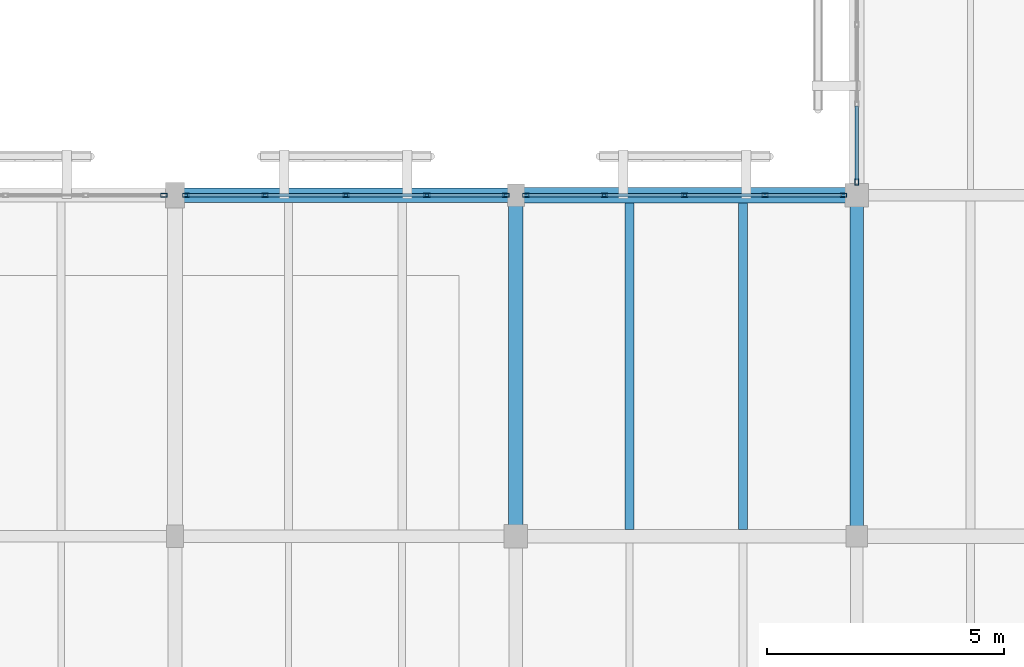
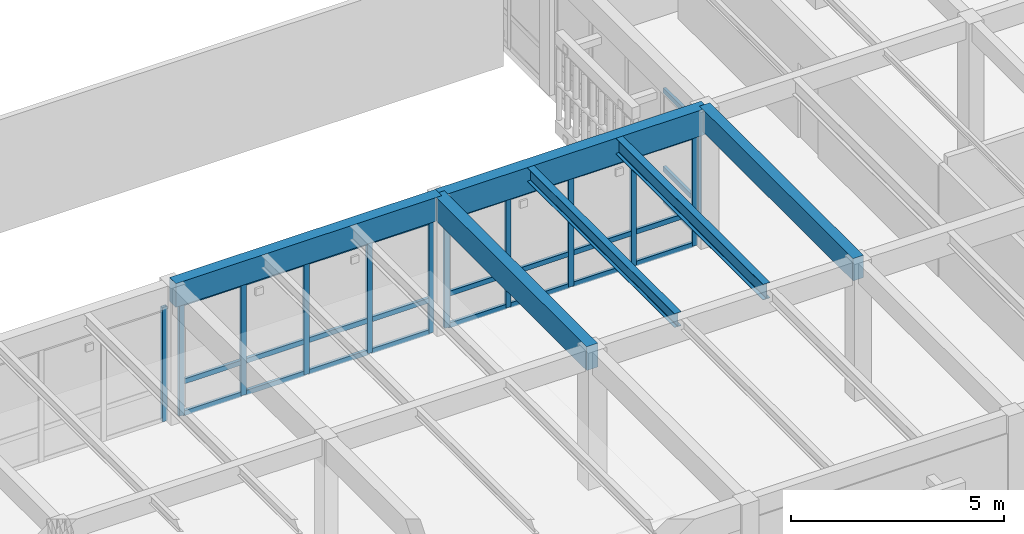
# One storey, part 143 of 217: 39 members, 6 beams, 4 elements without a shape of their own.
"""IFC4 building model written with IfcOpenShell, lengths in metres."""

from ifc_helpers import new_model, si_unit, direction, frame, origin, origin_2d, place, context, subcontext, project, spatial, rectangle, hollow_rectangle, i_section, extrude, material, layer, layer_set, material_profile, profile_set, type_object, element, aggregate, save


model = new_model("IFC4")

# Units and contexts
model_context = context("Model", 3, precision=1e-05, world=origin(), true_north=direction((0.0, 1.0)))
body_context = subcontext(model_context, "Body", "Model", "MODEL_VIEW")
ifc_project = project(units=[si_unit("LENGTHUNIT", "METRE"), si_unit("AREAUNIT", "SQUARE_METRE"), si_unit("VOLUMEUNIT", "CUBIC_METRE"), si_unit("PLANEANGLEUNIT", "RADIAN"), si_unit("MASSUNIT", "GRAM", prefix="KILO")], contexts=[model_context])

# Site, building, storey
site_placement = place(None, origin())
site = spatial("IfcSite", under=ifc_project, at=site_placement, CompositionType="ELEMENT")
building_placement = place(site_placement, origin())
building = spatial("IfcBuilding", under=site, at=building_placement, Name="Mazaris Harbour Polytechnic", CompositionType="ELEMENT")
storey_placement = place(building_placement, frame((0.0, 0.0, 9.60009765625)))
storey = spatial("IfcBuildingStorey", under=building, at=storey_placement, Name="L02", CompositionType="ELEMENT", Elevation=9.60009765625)

# Curtain wall, member
ifc_material_1 = material(Name="Anodised Bronze Aluminium and Low-E Glass", Category="aluminium")
ifc_layer = layer(ifc_material_1, 0.169921875, Name="Anodised Bronze Aluminium and Low-E Glass")
ifc_layer_set = layer_set([ifc_layer], Name="Anodised Bronze Aluminium and Low-E Glass")
curtain_wall_type = type_object("IfcCurtainWallType", Name="Studio North-Light Curtain Wall", PredefinedType="NOTDEFINED", material=ifc_layer_set)
curtain_wall_1_placement = place(storey_placement, origin())
curtain_wall_1 = element("IfcCurtainWall", 1, at=curtain_wall_1_placement, inside=storey, type_object=curtain_wall_type, Name="V5 L02 Curtain Wall 235", PredefinedType="NOTDEFINED")
ifc_material_2 = material(Name="Anodised Bronze Steel S355", Category="steel")
ifc_material_profile_1 = material_profile(ifc_material_2, hollow_rectangle(XDim=0.080078125, YDim=0.139892578125, WallThickness=0.00634765625, at=origin_2d()), Name="RHS 80x140x6.3")
ifc_profile_set_1 = profile_set([ifc_material_profile_1], Name="Anodised Bronze Steel S355")
member_type_1 = type_object("IfcMemberType", Name="Curtain Mullion RHS80x140", PredefinedType="MULLION", material=ifc_profile_set_1)
member_1_placement = place(storey_placement, frame((143.76806640625, 61.199951171875, 0.0), z_axis=(0.0, 0.0, 1.0), x_axis=(0.0, 1.0, 0.0)))
member_1 = element("IfcMember", 2, at=member_1_placement, type_object=member_type_1, Name="CW-03 mullion 5", PredefinedType="MULLION", context=body_context, shape_type="SweptSolid", body=[
    extrude(hollow_rectangle(XDim=0.080078125, YDim=0.139892578125, WallThickness=0.00634765625, at=origin_2d()), origin(), (0.0, 0.0, 1.0), 3.27001953125),
])
aggregate(curtain_wall_1, [member_1])

# Curtain wall, members
curtain_wall_2_placement = place(storey_placement, origin())
curtain_wall_2 = element("IfcCurtainWall", 3, at=curtain_wall_2_placement, inside=storey, type_object=curtain_wall_type, Name="V5 L02 Curtain Wall 236", PredefinedType="NOTDEFINED")
member_2_placement = place(storey_placement, frame((144.23193359375, 61.199951171875, 0.0), z_axis=(0.0, 0.0, 1.0), x_axis=(0.0, 1.0, 0.0)))
member_2 = element("IfcMember", 4, at=member_2_placement, type_object=member_type_1, Name="CW-03 mullion 1", PredefinedType="MULLION", context=body_context, shape_type="SweptSolid", body=[
    extrude(hollow_rectangle(XDim=0.080078125, YDim=0.139892578125, WallThickness=0.00634765625, at=origin_2d()), origin(), (0.0, 0.0, 1.0), 3.22998046875),
])
member_3_placement = place(storey_placement, frame((145.90087890625, 61.199951171875, 0.0), z_axis=(0.0, 0.0, 1.0), x_axis=(0.0, 1.0, 0.0)))
member_3 = element("IfcMember", 5, at=member_3_placement, type_object=member_type_1, Name="CW-03 mullion 2", PredefinedType="MULLION", context=body_context, shape_type="SweptSolid", body=[
    extrude(hollow_rectangle(XDim=0.080078125, YDim=0.139892578125, WallThickness=0.00634765625, at=origin_2d()), origin(), (0.0, 0.0, 1.0), 3.22998046875),
])
member_4_placement = place(storey_placement, frame((147.610107421875, 61.199951171875, 0.0), z_axis=(0.0, 0.0, 1.0), x_axis=(0.0, 1.0, 0.0)))
member_4 = element("IfcMember", 6, at=member_4_placement, type_object=member_type_1, Name="CW-03 mullion 3", PredefinedType="MULLION", context=body_context, shape_type="SweptSolid", body=[
    extrude(hollow_rectangle(XDim=0.080078125, YDim=0.139892578125, WallThickness=0.00634765625, at=origin_2d()), origin(), (0.0, 0.0, 1.0), 3.22998046875),
])
member_5_placement = place(storey_placement, frame((149.319091796875, 61.199951171875, 0.0), z_axis=(0.0, 0.0, 1.0), x_axis=(0.0, 1.0, 0.0)))
member_5 = element("IfcMember", 7, at=member_5_placement, type_object=member_type_1, Name="CW-03 mullion 4", PredefinedType="MULLION", context=body_context, shape_type="SweptSolid", body=[
    extrude(hollow_rectangle(XDim=0.080078125, YDim=0.139892578125, WallThickness=0.00634765625, at=origin_2d()), origin(), (0.0, 0.0, 1.0), 3.22998046875),
])
member_6_placement = place(storey_placement, frame((150.988037109375, 61.199951171875, 0.0), z_axis=(0.0, 0.0, 1.0), x_axis=(0.0, 1.0, 0.0)))
member_6 = element("IfcMember", 8, at=member_6_placement, type_object=member_type_1, Name="CW-03 mullion 5", PredefinedType="MULLION", context=body_context, shape_type="SweptSolid", body=[
    extrude(hollow_rectangle(XDim=0.080078125, YDim=0.139892578125, WallThickness=0.00634765625, at=origin_2d()), origin(), (0.0, 0.0, 1.0), 3.22998046875),
])

curtain_wall_3_placement = place(storey_placement, origin())
curtain_wall_3 = element("IfcCurtainWall", 9, at=curtain_wall_3_placement, inside=storey, type_object=curtain_wall_type, Name="V5 L02 Curtain Wall 237", PredefinedType="NOTDEFINED")
member_7_placement = place(storey_placement, frame((151.412109375, 61.199951171875, 0.0), z_axis=(0.0, 0.0, 1.0), x_axis=(0.0, 1.0, 0.0)))
member_7 = element("IfcMember", 10, at=member_7_placement, type_object=member_type_1, Name="CW-03 mullion 1", PredefinedType="MULLION", context=body_context, shape_type="SweptSolid", body=[
    extrude(hollow_rectangle(XDim=0.080078125, YDim=0.139892578125, WallThickness=0.00634765625, at=origin_2d()), origin(), (0.0, 0.0, 1.0), 3.169921875),
])
member_8_placement = place(storey_placement, frame((153.068603515625, 61.199951171875, 0.0), z_axis=(0.0, 0.0, 1.0), x_axis=(0.0, 1.0, 0.0)))
member_8 = element("IfcMember", 11, at=member_8_placement, type_object=member_type_1, Name="CW-03 mullion 2", PredefinedType="MULLION", context=body_context, shape_type="SweptSolid", body=[
    extrude(hollow_rectangle(XDim=0.080078125, YDim=0.139892578125, WallThickness=0.00634765625, at=origin_2d()), origin(), (0.0, 0.0, 1.0), 3.169921875),
])
member_9_placement = place(storey_placement, frame((154.764892578125, 61.199951171875, 0.0), z_axis=(0.0, 0.0, 1.0), x_axis=(0.0, 1.0, 0.0)))
member_9 = element("IfcMember", 12, at=member_9_placement, type_object=member_type_1, Name="CW-03 mullion 3", PredefinedType="MULLION", context=body_context, shape_type="SweptSolid", body=[
    extrude(hollow_rectangle(XDim=0.080078125, YDim=0.139892578125, WallThickness=0.00634765625, at=origin_2d()), origin(), (0.0, 0.0, 1.0), 3.169921875),
])
member_10_placement = place(storey_placement, frame((156.46142578125, 61.199951171875, 0.0), z_axis=(0.0, 0.0, 1.0), x_axis=(0.0, 1.0, 0.0)))
member_10 = element("IfcMember", 13, at=member_10_placement, type_object=member_type_1, Name="CW-03 mullion 4", PredefinedType="MULLION", context=body_context, shape_type="SweptSolid", body=[
    extrude(hollow_rectangle(XDim=0.080078125, YDim=0.139892578125, WallThickness=0.00634765625, at=origin_2d()), origin(), (0.0, 0.0, 1.0), 3.169921875),
])
member_11_placement = place(storey_placement, frame((158.117919921875, 61.199951171875, 0.0), z_axis=(0.0, 0.0, 1.0), x_axis=(0.0, 1.0, 0.0)))
member_11 = element("IfcMember", 14, at=member_11_placement, type_object=member_type_1, Name="CW-03 mullion 5", PredefinedType="MULLION", context=body_context, shape_type="SweptSolid", body=[
    extrude(hollow_rectangle(XDim=0.080078125, YDim=0.139892578125, WallThickness=0.00634765625, at=origin_2d()), origin(), (0.0, 0.0, 1.0), 3.169921875),
])

# Curtain wall, member
curtain_wall_4_placement = place(storey_placement, origin())
curtain_wall_4 = element("IfcCurtainWall", 15, at=curtain_wall_4_placement, inside=storey, type_object=curtain_wall_type, Name="V5 L02 Curtain Wall 245", PredefinedType="NOTDEFINED")
member_12_placement = place(storey_placement, frame((158.39990234375, 61.48193359375, 0.0), z_axis=(0.0, 0.0, 1.0), x_axis=(1.0, 0.0, 0.0)))
member_12 = element("IfcMember", 16, at=member_12_placement, type_object=member_type_1, Name="CW-03 mullion 5", PredefinedType="MULLION", context=body_context, shape_type="SweptSolid", body=[
    extrude(hollow_rectangle(XDim=0.080078125, YDim=0.139892578125, WallThickness=0.00634765625, at=origin_2d()), origin(), (0.0, 0.0, 1.0), 3.22998046875),
])

# Member
ifc_material_3 = material(Name="Anodised Bronze Steel S355", Category="steel")
ifc_material_profile_2 = material_profile(ifc_material_3, hollow_rectangle(XDim=0.080078125, YDim=0.139892578125, WallThickness=0.00634765625, at=origin_2d()), Name="RHS 80x140x6.3")
ifc_profile_set_2 = profile_set([ifc_material_profile_2], Name="Anodised Bronze Steel S355")
member_type_2 = type_object("IfcMemberType", Name="Curtain Transom RHS80x140", PredefinedType="USERDEFINED", material=ifc_profile_set_2)
member_13_placement = place(storey_placement, frame((144.27197265625, 61.199951171875, 0.039794921875), z_axis=(1.0, 0.0, 0.0), x_axis=(0.0, 1.0, 0.0)))
member_13 = element("IfcMember", 17, at=member_13_placement, type_object=member_type_2, Name="CW-03 transom 1.1", ObjectType="TRANSOM", PredefinedType="USERDEFINED", context=body_context, shape_type="SweptSolid", body=[
    extrude(hollow_rectangle(XDim=0.080078125, YDim=0.139892578125, WallThickness=0.00634765625, at=origin_2d()), origin(), (0.0, 0.0, 1.0), 1.589111328125),
])

member_14_placement = place(storey_placement, frame((144.27197265625, 61.199951171875, 0.949951171875), z_axis=(1.0, 0.0, 0.0), x_axis=(0.0, 1.0, 0.0)))
member_14 = element("IfcMember", 18, at=member_14_placement, type_object=member_type_2, Name="CW-03 transom 1.2", ObjectType="TRANSOM", PredefinedType="USERDEFINED", context=body_context, shape_type="SweptSolid", body=[
    extrude(hollow_rectangle(XDim=0.080078125, YDim=0.139892578125, WallThickness=0.00634765625, at=origin_2d()), origin(), (0.0, 0.0, 1.0), 1.589111328125),
])

member_15_placement = place(storey_placement, frame((144.27197265625, 61.199951171875, 3.18994140625), z_axis=(1.0, 0.0, 0.0), x_axis=(0.0, 1.0, 0.0)))
member_15 = element("IfcMember", 19, at=member_15_placement, type_object=member_type_2, Name="CW-03 transom 1.3", ObjectType="TRANSOM", PredefinedType="USERDEFINED", context=body_context, shape_type="SweptSolid", body=[
    extrude(hollow_rectangle(XDim=0.080078125, YDim=0.139892578125, WallThickness=0.00634765625, at=origin_2d()), origin(), (0.0, 0.0, 1.0), 1.589111328125),
])

member_16_placement = place(storey_placement, frame((145.94091796875, 61.199951171875, 0.039794921875), z_axis=(1.0, 0.0, 0.0), x_axis=(0.0, 1.0, 0.0)))
member_16 = element("IfcMember", 20, at=member_16_placement, type_object=member_type_2, Name="CW-03 transom 2.1", ObjectType="TRANSOM", PredefinedType="USERDEFINED", context=body_context, shape_type="SweptSolid", body=[
    extrude(hollow_rectangle(XDim=0.080078125, YDim=0.139892578125, WallThickness=0.00634765625, at=origin_2d()), origin(), (0.0, 0.0, 1.0), 1.629150390625),
])

member_17_placement = place(storey_placement, frame((145.94091796875, 61.199951171875, 0.949951171875), z_axis=(1.0, 0.0, 0.0), x_axis=(0.0, 1.0, 0.0)))
member_17 = element("IfcMember", 21, at=member_17_placement, type_object=member_type_2, Name="CW-03 transom 2.2", ObjectType="TRANSOM", PredefinedType="USERDEFINED", context=body_context, shape_type="SweptSolid", body=[
    extrude(hollow_rectangle(XDim=0.080078125, YDim=0.139892578125, WallThickness=0.00634765625, at=origin_2d()), origin(), (0.0, 0.0, 1.0), 1.629150390625),
])

member_18_placement = place(storey_placement, frame((145.94091796875, 61.199951171875, 3.18994140625), z_axis=(1.0, 0.0, 0.0), x_axis=(0.0, 1.0, 0.0)))
member_18 = element("IfcMember", 22, at=member_18_placement, type_object=member_type_2, Name="CW-03 transom 2.3", ObjectType="TRANSOM", PredefinedType="USERDEFINED", context=body_context, shape_type="SweptSolid", body=[
    extrude(hollow_rectangle(XDim=0.080078125, YDim=0.139892578125, WallThickness=0.00634765625, at=origin_2d()), origin(), (0.0, 0.0, 1.0), 1.629150390625),
])

member_19_placement = place(storey_placement, frame((147.64990234375, 61.199951171875, 0.039794921875), z_axis=(1.0, 0.0, 0.0), x_axis=(0.0, 1.0, 0.0)))
member_19 = element("IfcMember", 23, at=member_19_placement, type_object=member_type_2, Name="CW-03 transom 3.1", ObjectType="TRANSOM", PredefinedType="USERDEFINED", context=body_context, shape_type="SweptSolid", body=[
    extrude(hollow_rectangle(XDim=0.080078125, YDim=0.139892578125, WallThickness=0.00634765625, at=origin_2d()), origin(), (0.0, 0.0, 1.0), 1.629150390625),
])

member_20_placement = place(storey_placement, frame((147.64990234375, 61.199951171875, 0.949951171875), z_axis=(1.0, 0.0, 0.0), x_axis=(0.0, 1.0, 0.0)))
member_20 = element("IfcMember", 24, at=member_20_placement, type_object=member_type_2, Name="CW-03 transom 3.2", ObjectType="TRANSOM", PredefinedType="USERDEFINED", context=body_context, shape_type="SweptSolid", body=[
    extrude(hollow_rectangle(XDim=0.080078125, YDim=0.139892578125, WallThickness=0.00634765625, at=origin_2d()), origin(), (0.0, 0.0, 1.0), 1.629150390625),
])

member_21_placement = place(storey_placement, frame((147.64990234375, 61.199951171875, 3.18994140625), z_axis=(1.0, 0.0, 0.0), x_axis=(0.0, 1.0, 0.0)))
member_21 = element("IfcMember", 25, at=member_21_placement, type_object=member_type_2, Name="CW-03 transom 3.3", ObjectType="TRANSOM", PredefinedType="USERDEFINED", context=body_context, shape_type="SweptSolid", body=[
    extrude(hollow_rectangle(XDim=0.080078125, YDim=0.139892578125, WallThickness=0.00634765625, at=origin_2d()), origin(), (0.0, 0.0, 1.0), 1.629150390625),
])

member_22_placement = place(storey_placement, frame((149.35888671875, 61.199951171875, 0.039794921875), z_axis=(1.0, 0.0, 0.0), x_axis=(0.0, 1.0, 0.0)))
member_22 = element("IfcMember", 26, at=member_22_placement, type_object=member_type_2, Name="CW-03 transom 4.1", ObjectType="TRANSOM", PredefinedType="USERDEFINED", context=body_context, shape_type="SweptSolid", body=[
    extrude(hollow_rectangle(XDim=0.080078125, YDim=0.139892578125, WallThickness=0.00634765625, at=origin_2d()), origin(), (0.0, 0.0, 1.0), 1.589111328125),
])

member_23_placement = place(storey_placement, frame((149.35888671875, 61.199951171875, 0.949951171875), z_axis=(1.0, 0.0, 0.0), x_axis=(0.0, 1.0, 0.0)))
member_23 = element("IfcMember", 27, at=member_23_placement, type_object=member_type_2, Name="CW-03 transom 4.2", ObjectType="TRANSOM", PredefinedType="USERDEFINED", context=body_context, shape_type="SweptSolid", body=[
    extrude(hollow_rectangle(XDim=0.080078125, YDim=0.139892578125, WallThickness=0.00634765625, at=origin_2d()), origin(), (0.0, 0.0, 1.0), 1.589111328125),
])

member_24_placement = place(storey_placement, frame((149.35888671875, 61.199951171875, 3.18994140625), z_axis=(1.0, 0.0, 0.0), x_axis=(0.0, 1.0, 0.0)))
member_24 = element("IfcMember", 28, at=member_24_placement, type_object=member_type_2, Name="CW-03 transom 4.3", ObjectType="TRANSOM", PredefinedType="USERDEFINED", context=body_context, shape_type="SweptSolid", body=[
    extrude(hollow_rectangle(XDim=0.080078125, YDim=0.139892578125, WallThickness=0.00634765625, at=origin_2d()), origin(), (0.0, 0.0, 1.0), 1.589111328125),
])

aggregate(curtain_wall_2, [member_2, member_3, member_4, member_5, member_6, member_13, member_14, member_15, member_16, member_17, member_18, member_19, member_20, member_21, member_22, member_23, member_24])

member_25_placement = place(storey_placement, frame((151.451904296875, 61.199951171875, 0.039794921875), z_axis=(1.0, 0.0, 0.0), x_axis=(0.0, 1.0, 0.0)))
member_25 = element("IfcMember", 29, at=member_25_placement, type_object=member_type_2, Name="CW-03 transom 1.1", ObjectType="TRANSOM", PredefinedType="USERDEFINED", context=body_context, shape_type="SweptSolid", body=[
    extrude(hollow_rectangle(XDim=0.080078125, YDim=0.139892578125, WallThickness=0.00634765625, at=origin_2d()), origin(), (0.0, 0.0, 1.0), 1.57666015625),
])

member_26_placement = place(storey_placement, frame((151.451904296875, 61.199951171875, 0.949951171875), z_axis=(1.0, 0.0, 0.0), x_axis=(0.0, 1.0, 0.0)))
member_26 = element("IfcMember", 30, at=member_26_placement, type_object=member_type_2, Name="CW-03 transom 1.2", ObjectType="TRANSOM", PredefinedType="USERDEFINED", context=body_context, shape_type="SweptSolid", body=[
    extrude(hollow_rectangle(XDim=0.080078125, YDim=0.139892578125, WallThickness=0.00634765625, at=origin_2d()), origin(), (0.0, 0.0, 1.0), 1.57666015625),
])

member_27_placement = place(storey_placement, frame((151.451904296875, 61.199951171875, 3.1298828125), z_axis=(1.0, 0.0, 0.0), x_axis=(0.0, 1.0, 0.0)))
member_27 = element("IfcMember", 31, at=member_27_placement, type_object=member_type_2, Name="CW-03 transom 1.3", ObjectType="TRANSOM", PredefinedType="USERDEFINED", context=body_context, shape_type="SweptSolid", body=[
    extrude(hollow_rectangle(XDim=0.080078125, YDim=0.139892578125, WallThickness=0.00634765625, at=origin_2d()), origin(), (0.0, 0.0, 1.0), 1.57666015625),
])

member_28_placement = place(storey_placement, frame((153.1083984375, 61.199951171875, 0.039794921875), z_axis=(1.0, 0.0, 0.0), x_axis=(0.0, 1.0, 0.0)))
member_28 = element("IfcMember", 32, at=member_28_placement, type_object=member_type_2, Name="CW-03 transom 2.1", ObjectType="TRANSOM", PredefinedType="USERDEFINED", context=body_context, shape_type="SweptSolid", body=[
    extrude(hollow_rectangle(XDim=0.080078125, YDim=0.139892578125, WallThickness=0.00634765625, at=origin_2d()), origin(), (0.0, 0.0, 1.0), 1.61669921875),
])

member_29_placement = place(storey_placement, frame((153.1083984375, 61.199951171875, 0.949951171875), z_axis=(1.0, 0.0, 0.0), x_axis=(0.0, 1.0, 0.0)))
member_29 = element("IfcMember", 33, at=member_29_placement, type_object=member_type_2, Name="CW-03 transom 2.2", ObjectType="TRANSOM", PredefinedType="USERDEFINED", context=body_context, shape_type="SweptSolid", body=[
    extrude(hollow_rectangle(XDim=0.080078125, YDim=0.139892578125, WallThickness=0.00634765625, at=origin_2d()), origin(), (0.0, 0.0, 1.0), 1.61669921875),
])

member_30_placement = place(storey_placement, frame((153.1083984375, 61.199951171875, 3.1298828125), z_axis=(1.0, 0.0, 0.0), x_axis=(0.0, 1.0, 0.0)))
member_30 = element("IfcMember", 34, at=member_30_placement, type_object=member_type_2, Name="CW-03 transom 2.3", ObjectType="TRANSOM", PredefinedType="USERDEFINED", context=body_context, shape_type="SweptSolid", body=[
    extrude(hollow_rectangle(XDim=0.080078125, YDim=0.139892578125, WallThickness=0.00634765625, at=origin_2d()), origin(), (0.0, 0.0, 1.0), 1.61669921875),
])

member_31_placement = place(storey_placement, frame((154.804931640625, 61.199951171875, 0.039794921875), z_axis=(1.0, 0.0, 0.0), x_axis=(0.0, 1.0, 0.0)))
member_31 = element("IfcMember", 35, at=member_31_placement, type_object=member_type_2, Name="CW-03 transom 3.1", ObjectType="TRANSOM", PredefinedType="USERDEFINED", context=body_context, shape_type="SweptSolid", body=[
    extrude(hollow_rectangle(XDim=0.080078125, YDim=0.139892578125, WallThickness=0.00634765625, at=origin_2d()), origin(), (0.0, 0.0, 1.0), 1.616455078125),
])

member_32_placement = place(storey_placement, frame((154.804931640625, 61.199951171875, 0.949951171875), z_axis=(1.0, 0.0, 0.0), x_axis=(0.0, 1.0, 0.0)))
member_32 = element("IfcMember", 36, at=member_32_placement, type_object=member_type_2, Name="CW-03 transom 3.2", ObjectType="TRANSOM", PredefinedType="USERDEFINED", context=body_context, shape_type="SweptSolid", body=[
    extrude(hollow_rectangle(XDim=0.080078125, YDim=0.139892578125, WallThickness=0.00634765625, at=origin_2d()), origin(), (0.0, 0.0, 1.0), 1.616455078125),
])

member_33_placement = place(storey_placement, frame((154.804931640625, 61.199951171875, 3.1298828125), z_axis=(1.0, 0.0, 0.0), x_axis=(0.0, 1.0, 0.0)))
member_33 = element("IfcMember", 37, at=member_33_placement, type_object=member_type_2, Name="CW-03 transom 3.3", ObjectType="TRANSOM", PredefinedType="USERDEFINED", context=body_context, shape_type="SweptSolid", body=[
    extrude(hollow_rectangle(XDim=0.080078125, YDim=0.139892578125, WallThickness=0.00634765625, at=origin_2d()), origin(), (0.0, 0.0, 1.0), 1.616455078125),
])

member_34_placement = place(storey_placement, frame((156.50146484375, 61.199951171875, 0.039794921875), z_axis=(1.0, 0.0, 0.0), x_axis=(0.0, 1.0, 0.0)))
member_34 = element("IfcMember", 38, at=member_34_placement, type_object=member_type_2, Name="CW-03 transom 4.1", ObjectType="TRANSOM", PredefinedType="USERDEFINED", context=body_context, shape_type="SweptSolid", body=[
    extrude(hollow_rectangle(XDim=0.080078125, YDim=0.139892578125, WallThickness=0.00634765625, at=origin_2d()), origin(), (0.0, 0.0, 1.0), 1.576416015625),
])

member_35_placement = place(storey_placement, frame((156.50146484375, 61.199951171875, 0.949951171875), z_axis=(1.0, 0.0, 0.0), x_axis=(0.0, 1.0, 0.0)))
member_35 = element("IfcMember", 39, at=member_35_placement, type_object=member_type_2, Name="CW-03 transom 4.2", ObjectType="TRANSOM", PredefinedType="USERDEFINED", context=body_context, shape_type="SweptSolid", body=[
    extrude(hollow_rectangle(XDim=0.080078125, YDim=0.139892578125, WallThickness=0.00634765625, at=origin_2d()), origin(), (0.0, 0.0, 1.0), 1.576416015625),
])

member_36_placement = place(storey_placement, frame((156.50146484375, 61.199951171875, 3.1298828125), z_axis=(1.0, 0.0, 0.0), x_axis=(0.0, 1.0, 0.0)))
member_36 = element("IfcMember", 40, at=member_36_placement, type_object=member_type_2, Name="CW-03 transom 4.3", ObjectType="TRANSOM", PredefinedType="USERDEFINED", context=body_context, shape_type="SweptSolid", body=[
    extrude(hollow_rectangle(XDim=0.080078125, YDim=0.139892578125, WallThickness=0.00634765625, at=origin_2d()), origin(), (0.0, 0.0, 1.0), 1.576416015625),
])

aggregate(curtain_wall_3, [member_7, member_8, member_9, member_10, member_11, member_25, member_26, member_27, member_28, member_29, member_30, member_31, member_32, member_33, member_34, member_35, member_36])

member_37_placement = place(storey_placement, frame((158.39990234375, 63.08349609375, 0.039794921875), z_axis=(0.0, -1.0, 0.0), x_axis=(1.0, 0.0, 0.0)))
member_37 = element("IfcMember", 41, at=member_37_placement, type_object=member_type_2, Name="CW-03 transom 4.1", ObjectType="TRANSOM", PredefinedType="USERDEFINED", context=body_context, shape_type="SweptSolid", body=[
    extrude(hollow_rectangle(XDim=0.080078125, YDim=0.139892578125, WallThickness=0.00634765625, at=origin_2d()), origin(), (0.0, 0.0, 1.0), 1.5615234375),
])

member_38_placement = place(storey_placement, frame((158.39990234375, 63.08349609375, 0.949951171875), z_axis=(0.0, -1.0, 0.0), x_axis=(1.0, 0.0, 0.0)))
member_38 = element("IfcMember", 42, at=member_38_placement, type_object=member_type_2, Name="CW-03 transom 4.2", ObjectType="TRANSOM", PredefinedType="USERDEFINED", context=body_context, shape_type="SweptSolid", body=[
    extrude(hollow_rectangle(XDim=0.080078125, YDim=0.139892578125, WallThickness=0.00634765625, at=origin_2d()), origin(), (0.0, 0.0, 1.0), 1.5615234375),
])

member_39_placement = place(storey_placement, frame((158.39990234375, 63.08349609375, 3.18994140625), z_axis=(0.0, -1.0, 0.0), x_axis=(1.0, 0.0, 0.0)))
member_39 = element("IfcMember", 43, at=member_39_placement, type_object=member_type_2, Name="CW-03 transom 4.3", ObjectType="TRANSOM", PredefinedType="USERDEFINED", context=body_context, shape_type="SweptSolid", body=[
    extrude(hollow_rectangle(XDim=0.080078125, YDim=0.139892578125, WallThickness=0.00634765625, at=origin_2d()), origin(), (0.0, 0.0, 1.0), 1.5615234375),
])

aggregate(curtain_wall_4, [member_12, member_37, member_38, member_39])

# Beams
ifc_material_4 = material(Name="Glulam GL32h", Category="wood")
ifc_material_profile_3 = material_profile(ifc_material_4, rectangle(XDim=0.280029296875, YDim=0.639892578125, at=origin_2d()), Name="RECT280x640")
ifc_profile_set_3 = profile_set([ifc_material_profile_3], Name="Glulam GL32h")
beam_type_1 = type_object("IfcBeamType", Name="Glulam Girder 280x640", PredefinedType="BEAM", material=ifc_profile_set_3)
beam_1_placement = place(storey_placement, frame((158.39990234375, 54.0, 3.599853515625), z_axis=(0.0, 1.0, 0.0), x_axis=(-1.0, 0.0, 0.0)))
element("IfcBeam", 44, at=beam_1_placement, inside=storey, type_object=beam_type_1, Name="V5 L02 Tie Girder 3202", PredefinedType="BEAM", context=body_context, shape_type="SweptSolid", body=[
    extrude(rectangle(XDim=0.280029296875, YDim=0.639892578125, at=origin_2d()), origin(), (0.0, 0.0, 1.0), 7.199951171875),
])
ifc_material_5 = material(Name="Glulam GL32h", Category="wood")
ifc_material_profile_4 = material_profile(ifc_material_5, rectangle(XDim=0.300048828125, YDim=0.679931640625, at=origin_2d()), Name="RECT300x680")
ifc_profile_set_4 = profile_set([ifc_material_profile_4], Name="Glulam GL32h")
beam_type_2 = type_object("IfcBeamType", Name="Glulam Girder 300x680", PredefinedType="BEAM", material=ifc_profile_set_4)
for number, where, z_axis, x_axis, name in (
    (45, (144.0, 61.199951171875, 3.579833984375), (1.0, 0.0, 0.0), (0.0, 1.0, 0.0), "V5 L02 Girder 3133"),
    (46, (151.199951171875, 54.0, 3.579833984375), (0.0, 1.0, 0.0), (-1.0, 0.0, 0.0), "V5 L02 Tie Girder 3198"),
):
    element("IfcBeam", number, at=place(storey_placement, frame(where, z_axis=z_axis, x_axis=x_axis)), inside=storey, type_object=beam_type_2, Name=name, PredefinedType="BEAM", context=body_context, shape_type="SweptSolid", body=[
        extrude(rectangle(XDim=0.300048828125, YDim=0.679931640625, at=origin_2d()), origin(), (0.0, 0.0, 1.0), 7.199951171875),
    ])
ifc_material_6 = material(Name="Glulam GL32h", Category="wood")
ifc_material_profile_5 = material_profile(ifc_material_6, rectangle(XDim=0.320068359375, YDim=0.739990234375, at=origin_2d()), Name="RECT320x740")
ifc_profile_set_5 = profile_set([ifc_material_profile_5], Name="Glulam GL32h")
beam_type_3 = type_object("IfcBeamType", Name="Glulam Girder 320x740", PredefinedType="BEAM", material=ifc_profile_set_5)
beam_2_placement = place(storey_placement, frame((151.199951171875, 61.199951171875, 3.5498046875), z_axis=(1.0, 0.0, 0.0), x_axis=(0.0, 1.0, 0.0)))
element("IfcBeam", 47, at=beam_2_placement, inside=storey, type_object=beam_type_3, Name="V5 L02 Girder 3134", PredefinedType="BEAM", context=body_context, shape_type="SweptSolid", body=[
    extrude(rectangle(XDim=0.320068359375, YDim=0.739990234375, at=origin_2d()), origin(), (0.0, 0.0, 1.0), 7.199951171875),
])
ifc_material_7 = material(Name="Steel S355", Category="steel")
ifc_material_profile_6 = material_profile(ifc_material_7, i_section(OverallWidth=0.179931640625, OverallDepth=0.39990234375, WebThickness=0.008544921875, FlangeThickness=0.013427734375, FilletRadius=0.02099609375, at=origin_2d()), Name="IPE 400")
ifc_profile_set_6 = profile_set([ifc_material_profile_6], Name="Steel S355")
beam_type_4 = type_object("IfcBeamType", Name="Steel Joist IPE400", PredefinedType="JOIST", material=ifc_profile_set_6)
beam_3_placement = place(storey_placement, frame((153.60009765625, 54.139892578125, 3.719970703125), z_axis=(0.0, 1.0, 0.0), x_axis=(-1.0, 0.0, 0.0)))
element("IfcBeam", 48, at=beam_3_placement, inside=storey, type_object=beam_type_4, Name="V5 L02 Floor Joist 3267", PredefinedType="JOIST", context=body_context, shape_type="SweptSolid", body=[
    extrude(i_section(OverallWidth=0.179931640625, OverallDepth=0.39990234375, WebThickness=0.008544921875, FlangeThickness=0.013427734375, FilletRadius=0.02099609375, at=origin_2d()), origin(), (0.0, 0.0, 1.0), 6.900146484375),
])
ifc_material_8 = material(Name="Steel S355", Category="steel")
ifc_material_profile_7 = material_profile(ifc_material_8, i_section(OverallWidth=0.18994140625, OverallDepth=0.449951171875, WebThickness=0.009521484375, FlangeThickness=0.0146484375, FilletRadius=0.02099609375, at=origin_2d()), Name="IPE 450")
ifc_profile_set_7 = profile_set([ifc_material_profile_7], Name="Steel S355")
beam_type_5 = type_object("IfcBeamType", Name="Steel Joist IPE450", PredefinedType="JOIST", material=ifc_profile_set_7)
beam_4_placement = place(storey_placement, frame((156.0, 54.139892578125, 3.69482421875), z_axis=(0.0, 1.0, 0.0), x_axis=(-1.0, 0.0, 0.0)))
element("IfcBeam", 49, at=beam_4_placement, inside=storey, type_object=beam_type_5, Name="V5 L02 Floor Joist 3268", PredefinedType="JOIST", context=body_context, shape_type="SweptSolid", body=[
    extrude(i_section(OverallWidth=0.18994140625, OverallDepth=0.449951171875, WebThickness=0.009521484375, FlangeThickness=0.0146484375, FilletRadius=0.02099609375, at=origin_2d()), origin(), (0.0, 0.0, 1.0), 6.900146484375),
])

save(model, "model.ifc")
